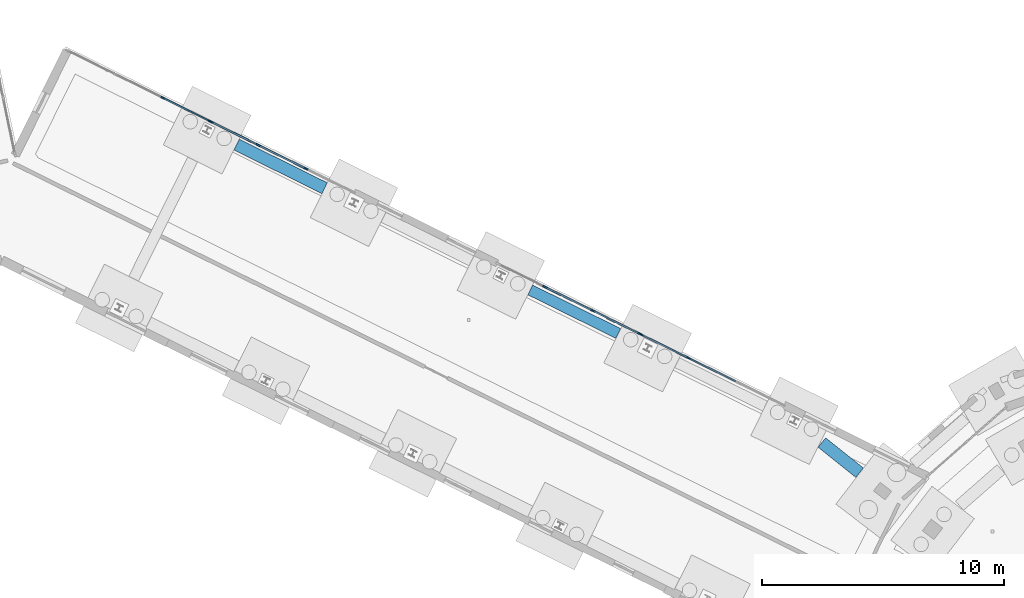
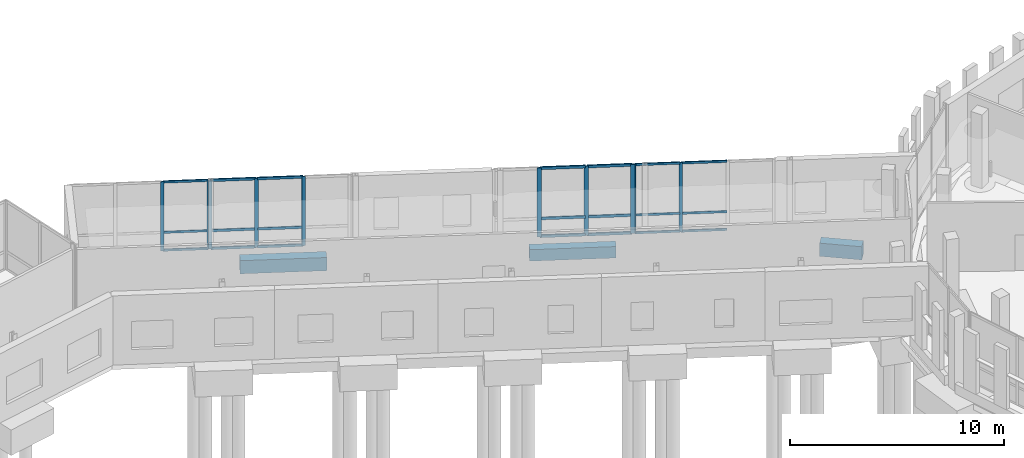
# One storey, part 61 of 113: 31 members, 3 beams, 4 elements without a shape of their own.
"""IFC4 building model written with IfcOpenShell, lengths in metres."""

from ifc_helpers import new_model, si_unit, direction, frame, origin, origin_2d, place, context, subcontext, project, spatial, rectangle, extrude, material, material_profile, profile_set, type_object, element, aggregate, save


model = new_model("IFC4")

# Units and contexts
model_context = context("Model", 3, precision=1e-05, world=origin(), true_north=direction((0.0, 1.0)))
body_context = subcontext(model_context, "Body", "Model", "MODEL_VIEW")
ifc_project = project(units=[si_unit("LENGTHUNIT", "METRE"), si_unit("AREAUNIT", "SQUARE_METRE"), si_unit("VOLUMEUNIT", "CUBIC_METRE"), si_unit("PLANEANGLEUNIT", "RADIAN"), si_unit("MASSUNIT", "GRAM", prefix="KILO")], contexts=[model_context])

# Site, building, storey
site_placement = place(None, origin())
site = spatial("IfcSite", under=ifc_project, at=site_placement, CompositionType="ELEMENT")
building_placement = place(site_placement, origin())
building = spatial("IfcBuilding", under=site, at=building_placement, Name="Wrenclough Park School", CompositionType="ELEMENT")
storey_placement = place(building_placement, origin())
storey = spatial("IfcBuildingStorey", under=building, at=storey_placement, Name="L00", CompositionType="ELEMENT", Elevation=0.0)

# Curtain wall, members
ifc_material_1 = material(Name="Thermally broken aluminium and low-e glass curtain wall", Category="aluminium")
curtain_wall_type_1 = type_object("IfcCurtainWallType", Name="ENV-CW-03", PredefinedType="USERDEFINED", material=ifc_material_1)
curtain_wall_1_placement = place(storey_placement, origin())
curtain_wall_1 = element("IfcCurtainWall", 1, at=curtain_wall_1_placement, inside=storey, type_object=curtain_wall_type_1, Name="L00 recessed curtain wall assembly 018", ObjectType="CURTAIN WALL", PredefinedType="USERDEFINED")
ifc_material_2 = material(Name="Thermally broken anodised aluminium", Category="aluminium")
ifc_material_profile_1 = material_profile(ifc_material_2, rectangle(XDim=0.06005859375, YDim=0.159912109375, at=origin_2d()), Name="AL MULLION 60x160")
ifc_profile_set_1 = profile_set([ifc_material_profile_1], Name="Thermally broken anodised aluminium")
member_type_1 = type_object("IfcMemberType", Name="ENV-CWM-1", PredefinedType="MULLION", material=ifc_profile_set_1)
member_1_placement = place(storey_placement, frame((132.0400390625, 119.509521484375, 0.0), z_axis=(0.0, 0.0, 1.0), x_axis=(0.443511318294, 0.896268771377, 0.0)))
member_1 = element("IfcMember", 2, at=member_1_placement, type_object=member_type_1, Name="CW-03 mullion 3", PredefinedType="MULLION", context=body_context, shape_type="SweptSolid", body=[
    extrude(rectangle(XDim=0.06005859375, YDim=0.159912109375, at=origin_2d()), origin(), (0.0, 0.0, 1.0), 3.93994140625),
])
member_2_placement = place(storey_placement, frame((133.984130859375, 118.547607421875, 0.0), z_axis=(0.0, 0.0, 1.0), x_axis=(0.443511318294, 0.896268771377, 0.0)))
member_2 = element("IfcMember", 3, at=member_2_placement, type_object=member_type_1, Name="CW-03 mullion 4", PredefinedType="MULLION", context=body_context, shape_type="SweptSolid", body=[
    extrude(rectangle(XDim=0.06005859375, YDim=0.159912109375, at=origin_2d()), origin(), (0.0, 0.0, 1.0), 3.93994140625),
])

curtain_wall_type_2 = type_object("IfcCurtainWallType", Name="ENV-CW-06", PredefinedType="USERDEFINED", material=ifc_material_1)
curtain_wall_2_placement = place(storey_placement, origin())
curtain_wall_2 = element("IfcCurtainWall", 4, at=curtain_wall_2_placement, inside=storey, type_object=curtain_wall_type_2, Name="L00 recessed curtain wall assembly 021", ObjectType="CURTAIN WALL", PredefinedType="USERDEFINED")
member_3_placement = place(storey_placement, frame((151.805908203125, 109.728515625, 0.0), z_axis=(0.0, 0.0, 1.0), x_axis=(0.4434991421, 0.896274796564, 0.0)))
member_3 = element("IfcMember", 5, at=member_3_placement, type_object=member_type_1, Name="CW-06 mullion 1", PredefinedType="MULLION", context=body_context, shape_type="SweptSolid", body=[
    extrude(rectangle(XDim=0.06005859375, YDim=0.159912109375, at=origin_2d()), origin(), (0.0, 0.0, 1.0), 3.93994140625),
])
member_4_placement = place(storey_placement, frame((153.75, 108.7666015625, 0.0), z_axis=(0.0, 0.0, 1.0), x_axis=(0.4434991421, 0.896274796564, 0.0)))
member_4 = element("IfcMember", 6, at=member_4_placement, type_object=member_type_1, Name="CW-06 mullion 2", PredefinedType="MULLION", context=body_context, shape_type="SweptSolid", body=[
    extrude(rectangle(XDim=0.06005859375, YDim=0.159912109375, at=origin_2d()), origin(), (0.0, 0.0, 1.0), 3.93994140625),
])

curtain_wall_type_3 = type_object("IfcCurtainWallType", Name="ENV-CW-04", PredefinedType="USERDEFINED", material=ifc_material_1)
curtain_wall_3_placement = place(storey_placement, origin())
curtain_wall_3 = element("IfcCurtainWall", 7, at=curtain_wall_3_placement, inside=storey, type_object=curtain_wall_type_3, Name="L00 recessed curtain wall assembly 019", ObjectType="CURTAIN WALL", PredefinedType="USERDEFINED")
ifc_material_profile_2 = material_profile(ifc_material_2, rectangle(XDim=0.06494140625, YDim=0.179931640625, at=origin_2d()), Name="AL MULLION 65x180")
ifc_profile_set_2 = profile_set([ifc_material_profile_2], Name="Thermally broken anodised aluminium")
member_type_2 = type_object("IfcMemberType", Name="ENV-CWM-2", PredefinedType="MULLION", material=ifc_profile_set_2)
member_5_placement = place(storey_placement, frame((134.04736328125, 118.51611328125, 0.0), z_axis=(0.0, 0.0, 1.0), x_axis=(0.4434991421, 0.896274796564, 0.0)))
member_5 = element("IfcMember", 8, at=member_5_placement, type_object=member_type_2, Name="CW-04 mullion 1", PredefinedType="MULLION", context=body_context, shape_type="SweptSolid", body=[
    extrude(rectangle(XDim=0.06494140625, YDim=0.179931640625, at=origin_2d()), origin(), (0.0, 0.0, 1.0), 3.93994140625),
])
member_6_placement = place(storey_placement, frame((135.9892578125, 117.555419921875, 0.0), z_axis=(0.0, 0.0, 1.0), x_axis=(0.4434991421, 0.896274796564, 0.0)))
member_6 = element("IfcMember", 9, at=member_6_placement, type_object=member_type_2, Name="CW-04 mullion 2", PredefinedType="MULLION", context=body_context, shape_type="SweptSolid", body=[
    extrude(rectangle(XDim=0.06494140625, YDim=0.179931640625, at=origin_2d()), origin(), (0.0, 0.0, 1.0), 3.93994140625),
])
member_7_placement = place(storey_placement, frame((137.960205078125, 116.580078125, 0.0), z_axis=(0.0, 0.0, 1.0), x_axis=(0.4434991421, 0.896274796564, 0.0)))
member_7 = element("IfcMember", 10, at=member_7_placement, type_object=member_type_2, Name="CW-04 mullion 3", PredefinedType="MULLION", context=body_context, shape_type="SweptSolid", body=[
    extrude(rectangle(XDim=0.06494140625, YDim=0.179931640625, at=origin_2d()), origin(), (0.0, 0.0, 1.0), 3.93994140625),
])

curtain_wall_type_4 = type_object("IfcCurtainWallType", Name="ENV-CW-05", PredefinedType="USERDEFINED", material=ifc_material_1)
curtain_wall_4_placement = place(storey_placement, origin())
curtain_wall_4 = element("IfcCurtainWall", 11, at=curtain_wall_4_placement, inside=storey, type_object=curtain_wall_type_4, Name="L00 recessed curtain wall assembly 020", ObjectType="CURTAIN WALL", PredefinedType="USERDEFINED")
ifc_material_profile_3 = material_profile(ifc_material_2, rectangle(XDim=0.070068359375, YDim=0.199951171875, at=origin_2d()), Name="AL MULLION 70x200")
ifc_profile_set_3 = profile_set([ifc_material_profile_3], Name="Thermally broken anodised aluminium")
member_type_3 = type_object("IfcMemberType", Name="ENV-CWM-3", PredefinedType="MULLION", material=ifc_profile_set_3)
member_8_placement = place(storey_placement, frame((147.82958984375, 111.696044921875, 0.0), z_axis=(0.0, 0.0, 1.0), x_axis=(0.443511318294, 0.896268771377, 0.0)))
member_8 = element("IfcMember", 12, at=member_8_placement, type_object=member_type_3, Name="CW-05 mullion 2", PredefinedType="MULLION", context=body_context, shape_type="SweptSolid", body=[
    extrude(rectangle(XDim=0.070068359375, YDim=0.199951171875, at=origin_2d()), origin(), (0.0, 0.0, 1.0), 3.93994140625),
])
member_9_placement = place(storey_placement, frame((149.80078125, 110.720947265625, 0.0), z_axis=(0.0, 0.0, 1.0), x_axis=(0.443511318294, 0.896268771377, 0.0)))
member_9 = element("IfcMember", 13, at=member_9_placement, type_object=member_type_3, Name="CW-05 mullion 3", PredefinedType="MULLION", context=body_context, shape_type="SweptSolid", body=[
    extrude(rectangle(XDim=0.070068359375, YDim=0.199951171875, at=origin_2d()), origin(), (0.0, 0.0, 1.0), 3.93994140625),
])
member_10_placement = place(storey_placement, frame((151.740234375, 109.760986328125, 0.0), z_axis=(0.0, 0.0, 1.0), x_axis=(0.443511318294, 0.896268771377, 0.0)))
member_10 = element("IfcMember", 14, at=member_10_placement, type_object=member_type_3, Name="CW-05 mullion 4", PredefinedType="MULLION", context=body_context, shape_type="SweptSolid", body=[
    extrude(rectangle(XDim=0.070068359375, YDim=0.199951171875, at=origin_2d()), origin(), (0.0, 0.0, 1.0), 3.93994140625),
])

# Member
ifc_material_profile_4 = material_profile(ifc_material_2, rectangle(XDim=0.06005859375, YDim=0.1201171875, at=origin_2d()), Name="AL TRANSOM 60x120")
ifc_profile_set_4 = profile_set([ifc_material_profile_4], Name="Thermally broken anodised aluminium")
member_type_4 = type_object("IfcMemberType", Name="ENV-CWT-1", PredefinedType="USERDEFINED", material=ifc_profile_set_4)
member_11_placement = place(storey_placement, frame((132.06689453125, 119.496337890625, 0.030029296875), z_axis=(0.89624855453, -0.443552171117, 0.0), x_axis=(0.443552171117, 0.89624855453, 0.0)))
member_11 = element("IfcMember", 15, at=member_11_placement, type_object=member_type_4, Name="CW-03 transom 3.1", ObjectType="TRANSOM", PredefinedType="USERDEFINED", context=body_context, shape_type="SweptSolid", body=[
    extrude(rectangle(XDim=0.06005859375, YDim=0.1201171875, at=origin_2d()), origin(), (0.0, 0.0, 1.0), 2.109130859375),
])

member_12_placement = place(storey_placement, frame((132.06689453125, 119.496337890625, 1.050048828125), z_axis=(0.89624855453, -0.443552171117, 0.0), x_axis=(0.443552171117, 0.89624855453, 0.0)))
member_12 = element("IfcMember", 16, at=member_12_placement, type_object=member_type_4, Name="CW-03 transom 3.2", ObjectType="TRANSOM", PredefinedType="USERDEFINED", context=body_context, shape_type="SweptSolid", body=[
    extrude(rectangle(XDim=0.06005859375, YDim=0.1201171875, at=origin_2d()), origin(), (0.0, 0.0, 1.0), 2.109130859375),
])

member_13_placement = place(storey_placement, frame((132.06689453125, 119.496337890625, 3.909912109375), z_axis=(0.89624855453, -0.443552171117, 0.0), x_axis=(0.443552171117, 0.89624855453, 0.0)))
member_13 = element("IfcMember", 17, at=member_13_placement, type_object=member_type_4, Name="CW-03 transom 3.3", ObjectType="TRANSOM", PredefinedType="USERDEFINED", context=body_context, shape_type="SweptSolid", body=[
    extrude(rectangle(XDim=0.06005859375, YDim=0.1201171875, at=origin_2d()), origin(), (0.0, 0.0, 1.0), 2.109130859375),
])

aggregate(curtain_wall_1, [member_1, member_2, member_11, member_12, member_13])

member_14_placement = place(storey_placement, frame((151.832763671875, 109.71533203125, 0.030029296875), z_axis=(0.896225778595, -0.44359818956, 0.0), x_axis=(0.44359818956, 0.896225778595, 0.0)))
member_14 = element("IfcMember", 18, at=member_14_placement, type_object=member_type_4, Name="CW-06 transom 1.1", ObjectType="TRANSOM", PredefinedType="USERDEFINED", context=body_context, shape_type="SweptSolid", body=[
    extrude(rectangle(XDim=0.06005859375, YDim=0.1201171875, at=origin_2d()), origin(), (0.0, 0.0, 1.0), 2.10888671875),
])

member_15_placement = place(storey_placement, frame((151.832763671875, 109.71533203125, 1.050048828125), z_axis=(0.896225778595, -0.44359818956, 0.0), x_axis=(0.44359818956, 0.896225778595, 0.0)))
member_15 = element("IfcMember", 19, at=member_15_placement, type_object=member_type_4, Name="CW-06 transom 1.2", ObjectType="TRANSOM", PredefinedType="USERDEFINED", context=body_context, shape_type="SweptSolid", body=[
    extrude(rectangle(XDim=0.06005859375, YDim=0.1201171875, at=origin_2d()), origin(), (0.0, 0.0, 1.0), 2.10888671875),
])

member_16_placement = place(storey_placement, frame((151.832763671875, 109.71533203125, 3.909912109375), z_axis=(0.896225778595, -0.44359818956, 0.0), x_axis=(0.44359818956, 0.896225778595, 0.0)))
member_16 = element("IfcMember", 20, at=member_16_placement, type_object=member_type_4, Name="CW-06 transom 1.3", ObjectType="TRANSOM", PredefinedType="USERDEFINED", context=body_context, shape_type="SweptSolid", body=[
    extrude(rectangle(XDim=0.06005859375, YDim=0.1201171875, at=origin_2d()), origin(), (0.0, 0.0, 1.0), 2.10888671875),
])

member_17_placement = place(storey_placement, frame((153.77685546875, 108.753173828125, 0.030029296875), z_axis=(0.896313829699, -0.443420250654, 0.0), x_axis=(0.443420250654, 0.896313829699, 0.0)))
member_17 = element("IfcMember", 21, at=member_17_placement, type_object=member_type_4, Name="CW-06 transom 2.1", ObjectType="TRANSOM", PredefinedType="USERDEFINED", context=body_context, shape_type="SweptSolid", body=[
    extrude(rectangle(XDim=0.06005859375, YDim=0.1201171875, at=origin_2d()), origin(), (0.0, 0.0, 1.0), 2.138916015625),
])

member_18_placement = place(storey_placement, frame((153.77685546875, 108.753173828125, 1.050048828125), z_axis=(0.896313829699, -0.443420250654, 0.0), x_axis=(0.443420250654, 0.896313829699, 0.0)))
member_18 = element("IfcMember", 22, at=member_18_placement, type_object=member_type_4, Name="CW-06 transom 2.2", ObjectType="TRANSOM", PredefinedType="USERDEFINED", context=body_context, shape_type="SweptSolid", body=[
    extrude(rectangle(XDim=0.06005859375, YDim=0.1201171875, at=origin_2d()), origin(), (0.0, 0.0, 1.0), 2.138916015625),
])

member_19_placement = place(storey_placement, frame((153.77685546875, 108.753173828125, 3.909912109375), z_axis=(0.896313829699, -0.443420250654, 0.0), x_axis=(0.443420250654, 0.896313829699, 0.0)))
member_19 = element("IfcMember", 23, at=member_19_placement, type_object=member_type_4, Name="CW-06 transom 2.3", ObjectType="TRANSOM", PredefinedType="USERDEFINED", context=body_context, shape_type="SweptSolid", body=[
    extrude(rectangle(XDim=0.06005859375, YDim=0.1201171875, at=origin_2d()), origin(), (0.0, 0.0, 1.0), 2.138916015625),
])

aggregate(curtain_wall_2, [member_3, member_4, member_14, member_15, member_16, member_17, member_18, member_19])

ifc_material_profile_5 = material_profile(ifc_material_2, rectangle(XDim=0.06494140625, YDim=0.139892578125, at=origin_2d()), Name="AL TRANSOM 65x140")
ifc_profile_set_5 = profile_set([ifc_material_profile_5], Name="Thermally broken anodised aluminium")
member_type_5 = type_object("IfcMemberType", Name="ENV-CWT-2", PredefinedType="USERDEFINED", material=ifc_profile_set_5)
member_20_placement = place(storey_placement, frame((134.07666015625, 118.501708984375, 0.032470703125), z_axis=(0.896301329016, -0.443445518192, 0.0), x_axis=(0.443445518192, 0.896301329016, 0.0)))
member_20 = element("IfcMember", 24, at=member_20_placement, type_object=member_type_5, Name="CW-04 transom 1.1", ObjectType="TRANSOM", PredefinedType="USERDEFINED", context=body_context, shape_type="SweptSolid", body=[
    extrude(rectangle(XDim=0.06494140625, YDim=0.139892578125, at=origin_2d()), origin(), (0.0, 0.0, 1.0), 2.1015625),
])

member_21_placement = place(storey_placement, frame((134.07666015625, 118.501708984375, 1.050048828125), z_axis=(0.896301329016, -0.443445518192, 0.0), x_axis=(0.443445518192, 0.896301329016, 0.0)))
member_21 = element("IfcMember", 25, at=member_21_placement, type_object=member_type_5, Name="CW-04 transom 1.2", ObjectType="TRANSOM", PredefinedType="USERDEFINED", context=body_context, shape_type="SweptSolid", body=[
    extrude(rectangle(XDim=0.06494140625, YDim=0.139892578125, at=origin_2d()), origin(), (0.0, 0.0, 1.0), 2.1015625),
])

member_22_placement = place(storey_placement, frame((134.07666015625, 118.501708984375, 3.907470703125), z_axis=(0.896301329016, -0.443445518192, 0.0), x_axis=(0.443445518192, 0.896301329016, 0.0)))
member_22 = element("IfcMember", 26, at=member_22_placement, type_object=member_type_5, Name="CW-04 transom 1.3", ObjectType="TRANSOM", PredefinedType="USERDEFINED", context=body_context, shape_type="SweptSolid", body=[
    extrude(rectangle(XDim=0.06494140625, YDim=0.139892578125, at=origin_2d()), origin(), (0.0, 0.0, 1.0), 2.1015625),
])

member_23_placement = place(storey_placement, frame((136.018310546875, 117.540771484375, 0.032470703125), z_axis=(0.896318154634, -0.443411508278, 0.0), x_axis=(0.443411508278, 0.896318154634, 0.0)))
member_23 = element("IfcMember", 27, at=member_23_placement, type_object=member_type_5, Name="CW-04 transom 2.1", ObjectType="TRANSOM", PredefinedType="USERDEFINED", context=body_context, shape_type="SweptSolid", body=[
    extrude(rectangle(XDim=0.06494140625, YDim=0.139892578125, at=origin_2d()), origin(), (0.0, 0.0, 1.0), 2.134033203125),
])

member_24_placement = place(storey_placement, frame((136.018310546875, 117.540771484375, 1.050048828125), z_axis=(0.896318154634, -0.443411508278, 0.0), x_axis=(0.443411508278, 0.896318154634, 0.0)))
member_24 = element("IfcMember", 28, at=member_24_placement, type_object=member_type_5, Name="CW-04 transom 2.2", ObjectType="TRANSOM", PredefinedType="USERDEFINED", context=body_context, shape_type="SweptSolid", body=[
    extrude(rectangle(XDim=0.06494140625, YDim=0.139892578125, at=origin_2d()), origin(), (0.0, 0.0, 1.0), 2.134033203125),
])

member_25_placement = place(storey_placement, frame((136.018310546875, 117.540771484375, 3.907470703125), z_axis=(0.896318154634, -0.443411508278, 0.0), x_axis=(0.443411508278, 0.896318154634, 0.0)))
member_25 = element("IfcMember", 29, at=member_25_placement, type_object=member_type_5, Name="CW-04 transom 2.3", ObjectType="TRANSOM", PredefinedType="USERDEFINED", context=body_context, shape_type="SweptSolid", body=[
    extrude(rectangle(XDim=0.06494140625, YDim=0.139892578125, at=origin_2d()), origin(), (0.0, 0.0, 1.0), 2.134033203125),
])

aggregate(curtain_wall_3, [member_5, member_6, member_7, member_20, member_21, member_22, member_23, member_24, member_25])

ifc_material_profile_6 = material_profile(ifc_material_2, rectangle(XDim=0.070068359375, YDim=0.14990234375, at=origin_2d()), Name="AL TRANSOM 70x150")
ifc_profile_set_6 = profile_set([ifc_material_profile_6], Name="Thermally broken anodised aluminium")
member_type_6 = type_object("IfcMemberType", Name="ENV-CWT-3", PredefinedType="USERDEFINED", material=ifc_profile_set_6)
member_26_placement = place(storey_placement, frame((147.861083984375, 111.6806640625, 0.034912109375), z_axis=(0.896254371032, -0.443540418008, 0.0), x_axis=(0.443540418008, 0.896254371032, 0.0)))
member_26 = element("IfcMember", 30, at=member_26_placement, type_object=member_type_6, Name="CW-05 transom 2.1", ObjectType="TRANSOM", PredefinedType="USERDEFINED", context=body_context, shape_type="SweptSolid", body=[
    extrude(rectangle(XDim=0.070068359375, YDim=0.14990234375, at=origin_2d()), origin(), (0.0, 0.0, 1.0), 2.129150390625),
])

member_27_placement = place(storey_placement, frame((147.861083984375, 111.6806640625, 1.050048828125), z_axis=(0.896254371032, -0.443540418008, 0.0), x_axis=(0.443540418008, 0.896254371032, 0.0)))
member_27 = element("IfcMember", 31, at=member_27_placement, type_object=member_type_6, Name="CW-05 transom 2.2", ObjectType="TRANSOM", PredefinedType="USERDEFINED", context=body_context, shape_type="SweptSolid", body=[
    extrude(rectangle(XDim=0.070068359375, YDim=0.14990234375, at=origin_2d()), origin(), (0.0, 0.0, 1.0), 2.129150390625),
])

member_28_placement = place(storey_placement, frame((147.861083984375, 111.6806640625, 3.905029296875), z_axis=(0.896254371032, -0.443540418008, 0.0), x_axis=(0.443540418008, 0.896254371032, 0.0)))
member_28 = element("IfcMember", 32, at=member_28_placement, type_object=member_type_6, Name="CW-05 transom 2.3", ObjectType="TRANSOM", PredefinedType="USERDEFINED", context=body_context, shape_type="SweptSolid", body=[
    extrude(rectangle(XDim=0.070068359375, YDim=0.14990234375, at=origin_2d()), origin(), (0.0, 0.0, 1.0), 2.129150390625),
])

member_29_placement = place(storey_placement, frame((149.83203125, 110.705322265625, 0.034912109375), z_axis=(0.896284727587, -0.443479071766, 0.0), x_axis=(0.443479071766, 0.896284727587, 0.0)))
member_29 = element("IfcMember", 33, at=member_29_placement, type_object=member_type_6, Name="CW-05 transom 3.1", ObjectType="TRANSOM", PredefinedType="USERDEFINED", context=body_context, shape_type="SweptSolid", body=[
    extrude(rectangle(XDim=0.070068359375, YDim=0.14990234375, at=origin_2d()), origin(), (0.0, 0.0, 1.0), 2.09423828125),
])

member_30_placement = place(storey_placement, frame((149.83203125, 110.705322265625, 1.050048828125), z_axis=(0.896284727587, -0.443479071766, 0.0), x_axis=(0.443479071766, 0.896284727587, 0.0)))
member_30 = element("IfcMember", 34, at=member_30_placement, type_object=member_type_6, Name="CW-05 transom 3.2", ObjectType="TRANSOM", PredefinedType="USERDEFINED", context=body_context, shape_type="SweptSolid", body=[
    extrude(rectangle(XDim=0.070068359375, YDim=0.14990234375, at=origin_2d()), origin(), (0.0, 0.0, 1.0), 2.09423828125),
])

member_31_placement = place(storey_placement, frame((149.83203125, 110.705322265625, 3.905029296875), z_axis=(0.896284727587, -0.443479071766, 0.0), x_axis=(0.443479071766, 0.896284727587, 0.0)))
member_31 = element("IfcMember", 35, at=member_31_placement, type_object=member_type_6, Name="CW-05 transom 3.3", ObjectType="TRANSOM", PredefinedType="USERDEFINED", context=body_context, shape_type="SweptSolid", body=[
    extrude(rectangle(XDim=0.070068359375, YDim=0.14990234375, at=origin_2d()), origin(), (0.0, 0.0, 1.0), 2.09423828125),
])

aggregate(curtain_wall_4, [member_8, member_9, member_10, member_26, member_27, member_28, member_29, member_30, member_31])

# Beams
ifc_material_3 = material(Name="Concrete C35/45", Category="concrete")
ifc_material_profile_7 = material_profile(ifc_material_3, rectangle(XDim=0.449951171875, YDim=0.64990234375, at=origin_2d()), Name="RC GROUND 450x650")
ifc_profile_set_7 = profile_set([ifc_material_profile_7], Name="Concrete C35/45")
beam_type_1 = type_object("IfcBeamType", Name="STR-BM-GTB1", PredefinedType="USERDEFINED", material=ifc_profile_set_7)
beam_1_placement = place(storey_placement, frame((147.222900390625, 111.572509765625, -0.625), z_axis=(0.896276920073, -0.44349485064, 0.0), x_axis=(0.44349485064, 0.896276920073, 0.0)))
element("IfcBeam", 36, at=beam_1_placement, inside=storey, type_object=beam_type_1, Name="Reinforced concrete ground tie beam 165", ObjectType="GROUND TIE BEAM", PredefinedType="USERDEFINED", context=body_context, shape_type="SweptSolid", body=[
    extrude(rectangle(XDim=0.449951171875, YDim=0.64990234375, at=origin_2d()), origin(), (0.0, 0.0, 1.0), 4.04833984375),
])
ifc_material_profile_8 = material_profile(ifc_material_3, rectangle(XDim=0.5, YDim=0.75, at=origin_2d()), Name="RC GROUND 500x750")
ifc_profile_set_8 = profile_set([ifc_material_profile_8], Name="Concrete C35/45")
beam_type_2 = type_object("IfcBeamType", Name="STR-BM-GTB2", PredefinedType="USERDEFINED", material=ifc_profile_set_8)
beam_2_placement = place(storey_placement, frame((160.819580078125, 104.027099609375, -0.675048828125), z_axis=(-0.781334123632, 0.624112960327, 0.0), x_axis=(-0.624112960327, -0.781334123632, 0.0)))
element("IfcBeam", 37, at=beam_2_placement, inside=storey, type_object=beam_type_2, Name="Reinforced concrete ground tie beam 094", ObjectType="GROUND TIE BEAM", PredefinedType="USERDEFINED", context=body_context, shape_type="SweptSolid", body=[
    extrude(rectangle(XDim=0.5, YDim=0.75, at=origin_2d()), origin(), (0.0, 0.0, 1.0), 1.995361328125),
])
beam_3_placement = place(storey_placement, frame((135.097900390625, 117.572509765625, -0.675048828125), z_axis=(0.896276920073, -0.44349485064, 0.0), x_axis=(0.44349485064, 0.896276920073, 0.0)))
element("IfcBeam", 38, at=beam_3_placement, inside=storey, type_object=beam_type_2, Name="Reinforced concrete ground tie beam 160", ObjectType="GROUND TIE BEAM", PredefinedType="USERDEFINED", context=body_context, shape_type="SweptSolid", body=[
    extrude(rectangle(XDim=0.5, YDim=0.75, at=origin_2d()), origin(), (0.0, 0.0, 1.0), 4.04833984375),
])

save(model, "model.ifc")
